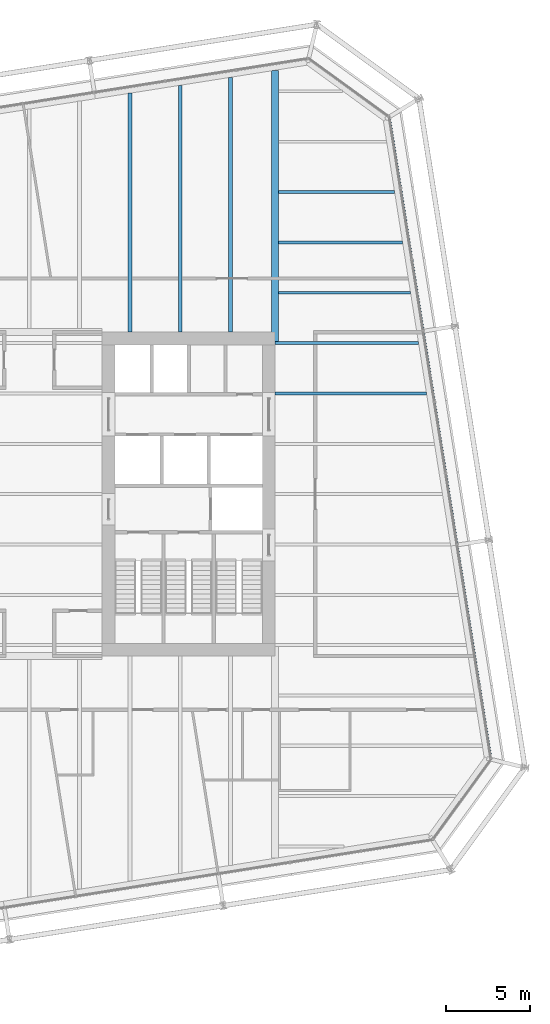
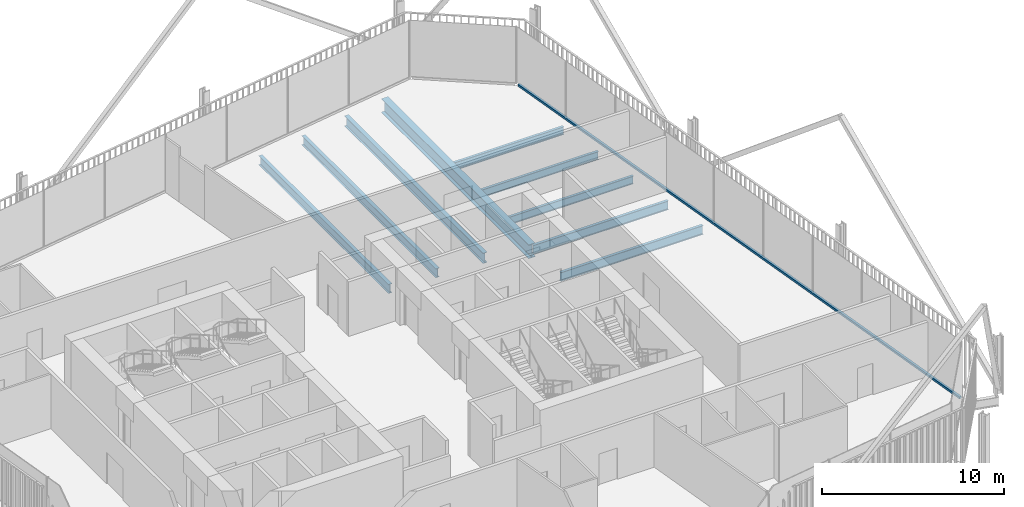
# One storey, part 14 of 22: 9 beams, 1 member, 1 element without a shape of its own.
"""IFC4 building model written with IfcOpenShell, lengths in metres."""

from ifc_helpers import new_model, si_unit, direction, frame, origin, origin_2d, place, context, subcontext, project, spatial, rectangle, i_section, extrude, material, layer, layer_set, material_profile, profile_set, type_object, element, aggregate, save


model = new_model("IFC4")

# Units and contexts
model_context = context("Model", 3, precision=1e-05, world=origin(), true_north=direction((0.0, 1.0)))
body_context = subcontext(model_context, "Body", "Model", "MODEL_VIEW")
ifc_project = project(units=[si_unit("LENGTHUNIT", "METRE"), si_unit("AREAUNIT", "SQUARE_METRE"), si_unit("VOLUMEUNIT", "CUBIC_METRE"), si_unit("PLANEANGLEUNIT", "RADIAN"), si_unit("MASSUNIT", "GRAM", prefix="KILO")], contexts=[model_context])

# Site, building, storey
site_placement = place(None, origin())
site = spatial("IfcSite", under=ifc_project, at=site_placement, CompositionType="ELEMENT")
building_placement = place(site_placement, origin())
building = spatial("IfcBuilding", under=site, at=building_placement, Name="Millrace Tower", CompositionType="ELEMENT")
storey_placement = place(building_placement, frame((0.0, 0.0, 168.5)))
storey = spatial("IfcBuildingStorey", under=building, at=storey_placement, Name="L38", CompositionType="ELEMENT", Elevation=168.5)

# Curtain wall, member
ifc_material_1 = material(Name="Aluminium and glass", Category="aluminium")
ifc_layer = layer(ifc_material_1, 0.14990234375)
ifc_layer_set = layer_set([ifc_layer], Name="Aluminium and glass")
curtain_wall_type = type_object("IfcCurtainWallType", Name="CW-1 office vision curtain wall", PredefinedType="NOTDEFINED", material=ifc_layer_set)
curtain_wall_placement = place(storey_placement, origin())
curtain_wall = element("IfcCurtainWall", 1, at=curtain_wall_placement, inside=storey, type_object=curtain_wall_type, Name="Curtain wall C-F04 L38", PredefinedType="NOTDEFINED")
ifc_material_2 = material(Name="Aluminium", Category="aluminium")
ifc_material_profile_1 = material_profile(ifc_material_2, rectangle(XDim=0.14990234375, YDim=0.139892578125, at=origin_2d()))
ifc_profile_set_1 = profile_set([ifc_material_profile_1], Name="Aluminium")
member_type = type_object("IfcMemberType", Name="CW-1 office vision curtain wall transom", PredefinedType="USERDEFINED", material=ifc_profile_set_1)
member_placement = place(storey_placement, frame((27.49609375, -15.675048828125, 0.070068359375), z_axis=(-0.156434402447, 0.987688350509, 0.0), x_axis=(-0.987688350509, -0.156434402447, 0.0)))
member = element("IfcMember", 2, at=member_placement, type_object=member_type, Name="CW1 transom C-F04.1", ObjectType="TRANSOM", PredefinedType="USERDEFINED", context=body_context, shape_type="SweptSolid", body=[
    extrude(rectangle(XDim=0.14990234375, YDim=0.139892578125, at=origin_2d()), origin(), (0.0, 0.0, 1.0), 38.499755859375),
])
aggregate(curtain_wall, [member])

# Beams
ifc_material_3 = material(Name="Steel ASTM A992 Grade 50", Category="steel")
ifc_material_profile_2 = material_profile(ifc_material_3, i_section(OverallWidth=0.1650390625, OverallDepth=0.52587890625, WebThickness=0.0087890625, FlangeThickness=0.011474609375, FilletRadius=0.0126953125, at=origin_2d()))
ifc_profile_set_2 = profile_set([ifc_material_profile_2], Name="Steel ASTM A992 Grade 50")
beam_type_1 = type_object("IfcBeamType", Name="Floor beam W21x44", PredefinedType="JOIST", material=ifc_profile_set_2)
beam_1_placement = place(storey_placement, frame((14.859619140625, 12.0, -0.4228515625), z_axis=(1.0, 0.0, 0.0), x_axis=(0.0, 1.0, 0.0)))
element("IfcBeam", 3, at=beam_1_placement, inside=storey, type_object=beam_type_1, Name="BM-C-L38-S1-S032", PredefinedType="JOIST", context=body_context, shape_type="SweptSolid", body=[
    extrude(i_section(OverallWidth=0.1650390625, OverallDepth=0.52587890625, WebThickness=0.0087890625, FlangeThickness=0.011474609375, FilletRadius=0.0126953125, at=origin_2d()), origin(), (0.0, 0.0, 1.0), 7.8662109375),
])
beam_2_placement = place(storey_placement, frame((14.859619140625, 15.0, -0.4228515625), z_axis=(1.0, 0.0, 0.0), x_axis=(0.0, 1.0, 0.0)))
element("IfcBeam", 4, at=beam_2_placement, inside=storey, type_object=beam_type_1, Name="BM-C-L38-S1-S034", PredefinedType="JOIST", context=body_context, shape_type="SweptSolid", body=[
    extrude(i_section(OverallWidth=0.1650390625, OverallDepth=0.52587890625, WebThickness=0.0087890625, FlangeThickness=0.011474609375, FilletRadius=0.0126953125, at=origin_2d()), origin(), (0.0, 0.0, 1.0), 7.390869140625),
])
beam_3_placement = place(storey_placement, frame((14.859619140625, 18.0, -0.4228515625), z_axis=(1.0, 0.0, 0.0), x_axis=(0.0, 1.0, 0.0)))
element("IfcBeam", 5, at=beam_3_placement, inside=storey, type_object=beam_type_1, Name="BM-C-L38-S1-S036", PredefinedType="JOIST", context=body_context, shape_type="SweptSolid", body=[
    extrude(i_section(OverallWidth=0.1650390625, OverallDepth=0.52587890625, WebThickness=0.0087890625, FlangeThickness=0.011474609375, FilletRadius=0.0126953125, at=origin_2d()), origin(), (0.0, 0.0, 1.0), 6.915771484375),
])
ifc_material_4 = material(Name="Steel ASTM A992 Grade 50", Category="steel")
ifc_material_profile_3 = material_profile(ifc_material_4, i_section(OverallWidth=0.177978515625, OverallDepth=0.599365234375, WebThickness=0.010009765625, FlangeThickness=0.012939453125, FilletRadius=0.012939453125, at=origin_2d()))
ifc_profile_set_3 = profile_set([ifc_material_profile_3], Name="Steel ASTM A992 Grade 50")
beam_type_2 = type_object("IfcBeamType", Name="Floor beam W24x55", PredefinedType="JOIST", material=ifc_profile_set_3)
beam_4_placement = place(storey_placement, frame((14.64990234375, 6.0, -0.459716796875), z_axis=(1.0, 0.0, 0.0), x_axis=(0.0, 1.0, 0.0)))
element("IfcBeam", 6, at=beam_4_placement, inside=storey, type_object=beam_type_2, Name="BM-C-L38-S1-S027", PredefinedType="JOIST", context=body_context, shape_type="SweptSolid", body=[
    extrude(i_section(OverallWidth=0.177978515625, OverallDepth=0.599365234375, WebThickness=0.010009765625, FlangeThickness=0.012939453125, FilletRadius=0.012939453125, at=origin_2d()), origin(), (0.0, 0.0, 1.0), 9.026123046875),
])
beam_5_placement = place(storey_placement, frame((14.64990234375, 9.0, -0.459716796875), z_axis=(1.0, 0.0, 0.0), x_axis=(0.0, 1.0, 0.0)))
element("IfcBeam", 7, at=beam_5_placement, inside=storey, type_object=beam_type_2, Name="BM-C-L38-S1-S030", PredefinedType="JOIST", context=body_context, shape_type="SweptSolid", body=[
    extrude(i_section(OverallWidth=0.177978515625, OverallDepth=0.599365234375, WebThickness=0.010009765625, FlangeThickness=0.012939453125, FilletRadius=0.012939453125, at=origin_2d()), origin(), (0.0, 0.0, 1.0), 8.551025390625),
])
ifc_material_5 = material(Name="Steel ASTM A992 Grade 50", Category="steel")
ifc_material_profile_4 = material_profile(ifc_material_5, i_section(OverallWidth=0.228271484375, OverallDepth=0.607177734375, WebThickness=0.01123046875, FlangeThickness=0.017333984375, FilletRadius=0.0126953125, at=origin_2d()))
ifc_profile_set_4 = profile_set([ifc_material_profile_4], Name="Steel ASTM A992 Grade 50")
beam_type_3 = type_object("IfcBeamType", Name="Floor beam W24x76", PredefinedType="JOIST", material=ifc_profile_set_4)
beam_6_placement = place(storey_placement, frame((6.0, 9.64990234375, -0.463623046875), z_axis=(0.0, 1.0, 0.0), x_axis=(-1.0, 0.0, 0.0)))
element("IfcBeam", 8, at=beam_6_placement, inside=storey, type_object=beam_type_3, Name="BM-C-L38-S1-S051", PredefinedType="JOIST", context=body_context, shape_type="SweptSolid", body=[
    extrude(i_section(OverallWidth=0.228271484375, OverallDepth=0.607177734375, WebThickness=0.01123046875, FlangeThickness=0.017333984375, FilletRadius=0.0126953125, at=origin_2d()), origin(), (0.0, 0.0, 1.0), 14.2421875),
])
beam_7_placement = place(storey_placement, frame((9.0, 9.64990234375, -0.463623046875), z_axis=(0.0, 1.0, 0.0), x_axis=(-1.0, 0.0, 0.0)))
element("IfcBeam", 9, at=beam_7_placement, inside=storey, type_object=beam_type_3, Name="BM-C-L38-S1-S053", PredefinedType="JOIST", context=body_context, shape_type="SweptSolid", body=[
    extrude(i_section(OverallWidth=0.228271484375, OverallDepth=0.607177734375, WebThickness=0.01123046875, FlangeThickness=0.017333984375, FilletRadius=0.0126953125, at=origin_2d()), origin(), (0.0, 0.0, 1.0), 14.71728515625),
])
ifc_material_6 = material(Name="Steel ASTM A992 Grade 50", Category="steel")
ifc_material_profile_5 = material_profile(ifc_material_6, i_section(OverallWidth=0.256591796875, OverallDepth=0.693359375, WebThickness=0.014404296875, FlangeThickness=0.023681640625, FilletRadius=0.01513671875, at=origin_2d()))
ifc_profile_set_5 = profile_set([ifc_material_profile_5], Name="Steel ASTM A992 Grade 50")
beam_type_4 = type_object("IfcBeamType", Name="Floor beam W27x114", PredefinedType="JOIST", material=ifc_profile_set_5)
beam_8_placement = place(storey_placement, frame((12.0, 9.64990234375, -0.506591796875), z_axis=(0.0, 1.0, 0.0), x_axis=(-1.0, 0.0, 0.0)))
element("IfcBeam", 10, at=beam_8_placement, inside=storey, type_object=beam_type_4, Name="BM-C-L38-S1-S055", PredefinedType="JOIST", context=body_context, shape_type="SweptSolid", body=[
    extrude(i_section(OverallWidth=0.256591796875, OverallDepth=0.693359375, WebThickness=0.014404296875, FlangeThickness=0.023681640625, FilletRadius=0.01513671875, at=origin_2d()), origin(), (0.0, 0.0, 1.0), 15.1923828125),
])
ifc_material_7 = material(Name="Steel ASTM A992 Grade 50", Category="steel")
ifc_material_profile_6 = material_profile(ifc_material_7, i_section(OverallWidth=0.419189453125, OverallDepth=0.927001953125, WebThickness=0.019287109375, FlangeThickness=0.031982421875, FilletRadius=0.024169921875, at=origin_2d()))
ifc_profile_set_6 = profile_set([ifc_material_profile_6], Name="Steel ASTM A992 Grade 50")
beam_type_5 = type_object("IfcBeamType", Name="Girder medium span W36x231", PredefinedType="BEAM", material=ifc_profile_set_6)
beam_9_placement = place(storey_placement, frame((14.64990234375, 9.090087890625, -0.62353515625), z_axis=(0.0, 1.0, 0.0), x_axis=(-1.0, 0.0, 0.0)))
element("IfcBeam", 11, at=beam_9_placement, inside=storey, type_object=beam_type_5, Name="BM-C-L38-S1-G059", PredefinedType="BEAM", context=body_context, shape_type="SweptSolid", body=[
    extrude(i_section(OverallWidth=0.419189453125, OverallDepth=0.927001953125, WebThickness=0.019287109375, FlangeThickness=0.031982421875, FilletRadius=0.024169921875, at=origin_2d()), origin(), (0.0, 0.0, 1.0), 16.1640625),
])

save(model, "model.ifc")
